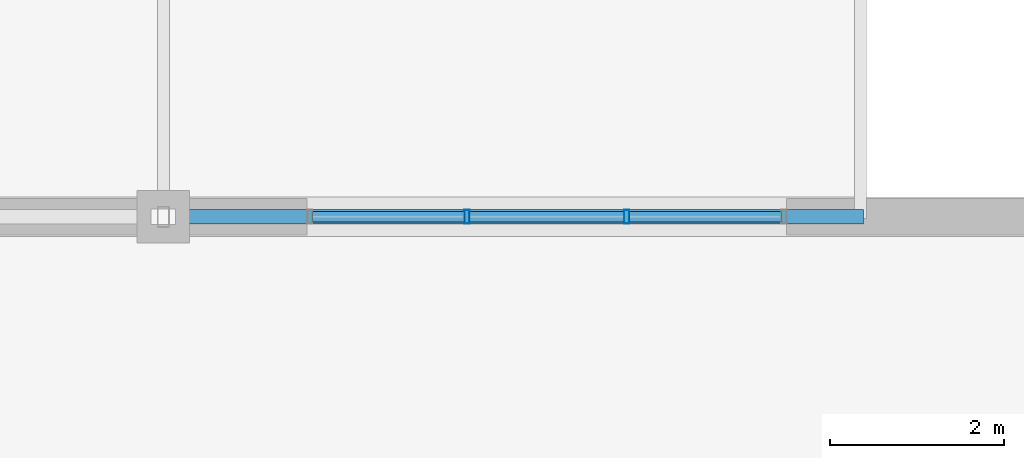
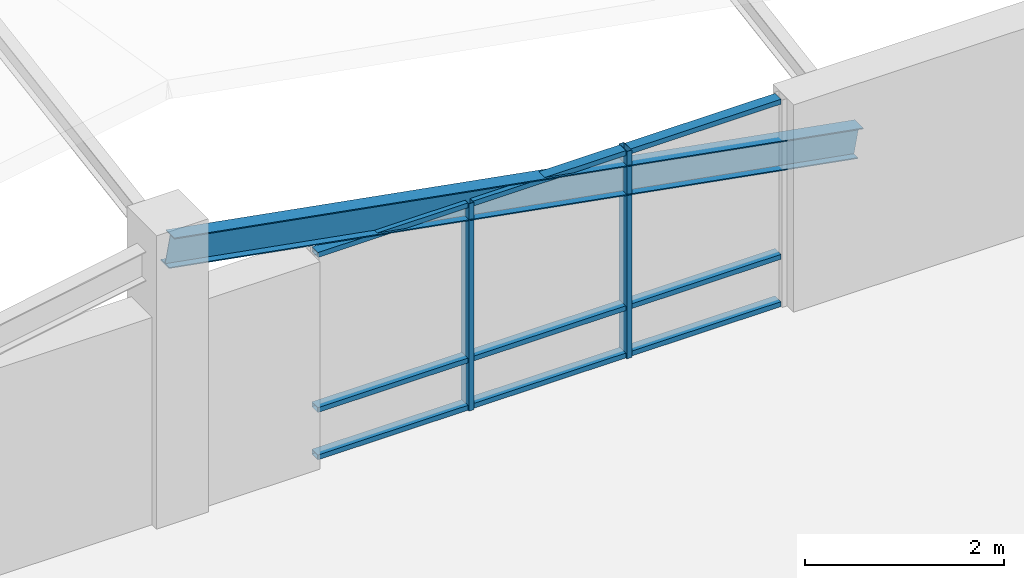
# One storey, part 85 of 189: 12 members, 1 element without a shape of its own.
"""IFC4 building model written with IfcOpenShell, lengths in metres."""

import ifcopenshell
import ifcopenshell.guid

model = None  # the IFC model being written
_history = None  # IfcOwnerHistory: only IFC2X3 demands one
_inside = {}  # id of a spatial element -> (the spatial element, [elements in it])
_under = {}  # id of a project, library or spatial element -> (it, [spatial elements below it])
_declared = {}  # id of a project -> (the project, [libraries it declares])
_typed = {}  # id of a type object -> (the type object, [elements of that type])
_made_of = {}  # id of a material, layer set ... -> (it, [elements and type objects made of it])


def new_model(schema):
    """Start an empty IFC model of exactly this schema.

    Asked for "IFC4X3", IfcOpenShell would pick the latest addendum, in which some entities
    have other attributes; the version numbers below select the first issue.
    IFC2X3 requires an IfcOwnerHistory on every rooted entity: one is made here for all.
    """
    global model, _history
    if schema == "IFC4X3":
        model = ifcopenshell.file(schema_version=(4, 3, 0, 0))
    else:
        model = ifcopenshell.file(schema=schema)
    _inside.clear()
    _under.clear()
    _declared.clear()
    _typed.clear()
    _made_of.clear()
    _history = None
    if model.schema == "IFC2X3":
        org = make("IfcOrganization", Name="unknown")
        user = make(
            "IfcPersonAndOrganization",
            ThePerson=make("IfcPerson", FamilyName="unknown"),
            TheOrganization=org,
        )
        app = make(
            "IfcApplication",
            ApplicationDeveloper=org,
            Version="unknown",
            ApplicationFullName="unknown",
            ApplicationIdentifier="unknown",
        )
        _history = make(
            "IfcOwnerHistory",
            OwningUser=user,
            OwningApplication=app,
            ChangeAction="ADDED",
            CreationDate=0,
        )
    return model


def make(cls, **values):
    """One entity of the class cls with the attributes given. An attribute that is None is left unset."""
    return model.create_entity(
        cls, **{name: value for name, value in values.items() if value is not None}
    )


def rooted(cls, **values):
    """An entity with a GlobalId (a new one), such as an element, a storey or a relation."""
    return make(cls, GlobalId=ifcopenshell.guid.new(), OwnerHistory=_history, **values)


def si_unit(unit_type, name, prefix=None):
    """IfcSIUnit, for example si_unit("LENGTHUNIT", "METRE", prefix="MILLI")."""
    return make("IfcSIUnit", UnitType=unit_type, Prefix=prefix, Name=name)


def assignment(units):
    """IfcUnitAssignment: the units of a project."""
    return None if units is None else make("IfcUnitAssignment", Units=units)


def point(xyz):
    """IfcCartesianPoint."""
    return None if xyz is None else make("IfcCartesianPoint", Coordinates=xyz)


def direction(xyz):
    """IfcDirection."""
    return None if xyz is None else make("IfcDirection", DirectionRatios=xyz)


def frame(location, z_axis=None, x_axis=None):
    """IfcAxis2Placement3D, a coordinate frame: its origin and axes. An axis left out is left unset."""
    return make(
        "IfcAxis2Placement3D",
        Location=point(location),
        Axis=direction(z_axis),
        RefDirection=direction(x_axis),
    )


def frame_2d(location, x_axis=None):
    """IfcAxis2Placement2D, a coordinate frame in the plane: its origin and x axis."""
    return make(
        "IfcAxis2Placement2D", Location=point(location), RefDirection=direction(x_axis)
    )


def origin():
    """The frame at (0, 0, 0) with its axes left unset."""
    return frame((0.0, 0.0, 0.0))


def origin_2d():
    """The frame at (0, 0) in the plane with its x axis left unset."""
    return frame_2d((0.0, 0.0))


def place(relative_to, where):
    """IfcLocalPlacement: puts the frame where relative to a parent placement (None: the world)."""
    return make(
        "IfcLocalPlacement", PlacementRelTo=relative_to, RelativePlacement=where
    )


def context(
    kind, dimensions, precision=None, world=None, true_north=None, identifier=None
):
    """IfcGeometricRepresentationContext, for example the 3D "Model" context."""
    return make(
        "IfcGeometricRepresentationContext",
        ContextIdentifier=identifier,
        ContextType=kind,
        CoordinateSpaceDimension=dimensions,
        Precision=precision,
        WorldCoordinateSystem=world,
        TrueNorth=true_north,
    )


def subcontext(parent, identifier, kind, view, scale=None):
    """IfcGeometricRepresentationSubContext, for example "Body" below "Model"."""
    return make(
        "IfcGeometricRepresentationSubContext",
        ContextIdentifier=identifier,
        ContextType=kind,
        ParentContext=parent,
        TargetScale=scale,
        TargetView=view,
    )


def project(units=None, contexts=None):
    """IfcProject with its units and contexts."""
    return rooted(
        "IfcProject",
        Name="project",
        RepresentationContexts=contexts,
        UnitsInContext=assignment(units),
    )


def spatial(cls, under=None, at=None, **own):
    """A site, building, storey or space (cls), placed at a placement, below another one or the project."""
    s = rooted(cls, ObjectPlacement=at, **own)
    if under is not None:
        _under.setdefault(under.id(), (under, []))[1].append(s)
    return s


def profile(cls, at=None, kind="AREA", **sizes):
    """A parametric profile (cls). Its sizes go by their IFC names, for example OverallWidth=200.0."""
    return make(cls, ProfileType=kind, Position=at, **sizes)


def hollow_rectangle(**sizes):
    """IfcRectangleHollowProfileDef."""
    return profile("IfcRectangleHollowProfileDef", **sizes)


def i_section(**sizes):
    """IfcIShapeProfileDef."""
    return profile("IfcIShapeProfileDef", **sizes)


def extrude(swept, where, along, depth):
    """IfcExtrudedAreaSolid: the profile swept, set in the frame where, extruded along a direction by depth."""
    return make(
        "IfcExtrudedAreaSolid",
        SweptArea=swept,
        Position=where,
        ExtrudedDirection=direction(along),
        Depth=depth,
    )


def shape(context_of_items, identifier, shape_type, items):
    """IfcShapeRepresentation: the items that make up one representation, for example the "Body"."""
    return make(
        "IfcShapeRepresentation",
        ContextOfItems=context_of_items,
        RepresentationIdentifier=identifier,
        RepresentationType=shape_type,
        Items=items,
    )


def material(Name=None, Category=None):
    """IfcMaterial."""
    return make("IfcMaterial", Name=Name, Category=Category)


def material_profile(
    of_material, cross_section, Name=None, Category=None, Priority=None
):
    """IfcMaterialProfile: a cross section and its material."""
    return make(
        "IfcMaterialProfile",
        Name=Name,
        Material=of_material,
        Profile=cross_section,
        Priority=Priority,
        Category=Category,
    )


def profile_set(profiles, Name=None, composite=None):
    """IfcMaterialProfileSet."""
    return make(
        "IfcMaterialProfileSet",
        Name=Name,
        MaterialProfiles=profiles,
        CompositeProfile=composite,
    )


def made_of(thing, what):
    """Note that an element or type object is made of a material, layer set ...; save() writes the relation."""
    if what is not None:
        _made_of.setdefault(what.id(), (what, []))[1].append(thing)
    return thing


def type_object(cls, material=None, **own):
    """A type object (cls), such as IfcWallType, which elements share."""
    return made_of(rooted(cls, **own), material)


def element(
    cls,
    number,
    at=None,
    inside=None,
    cuts=None,
    type_object=None,
    material=None,
    context=None,
    identifier="Body",
    shape_type=None,
    held_by="IfcProductDefinitionShape",
    body=None,
    shapes=None,
    **own,
):
    """One element of the class cls, such as IfcWall. Its Tag is "e" and its number.

    at: its placement. inside: the storey or other place that contains it. cuts: it is an
    opening in that element (IfcRelVoidsElement). A single representation is given by context,
    identifier, shape_type and body (its items); several are given by shapes. held_by: the class
    of the entity that holds the representations. save() writes the other relations.
    """
    e = rooted(cls, Tag="e%d" % number, ObjectPlacement=at, **own)
    if body is not None:
        shapes = [shape(context, identifier, shape_type, body)]
    if shapes is not None:
        e.Representation = make(held_by, Representations=shapes)
    if inside is not None:
        _inside.setdefault(inside.id(), (inside, []))[1].append(e)
    if cuts is not None:
        rooted(
            "IfcRelVoidsElement", RelatingBuildingElement=cuts, RelatedOpeningElement=e
        )
    if type_object is not None:
        _typed.setdefault(type_object.id(), (type_object, []))[1].append(e)
    return made_of(e, material)


def aggregate(whole, parts):
    """IfcRelAggregates: a whole, such as a stair, and the parts it consists of."""
    return rooted("IfcRelAggregates", RelatingObject=whole, RelatedObjects=parts)


def save(model, path):
    """Write the relations noted so far, then the file.

    IfcRelAggregates (storeys below a building ...), IfcRelContainedInSpatialStructure (elements
    in a storey), IfcRelDefinesByType, IfcRelAssociatesMaterial and IfcRelDeclares: one each for
    every whole, place, type object, material and project.
    """
    for whole, parts in _under.values():
        aggregate(whole, parts)
    for where, things in _inside.values():
        rooted(
            "IfcRelContainedInSpatialStructure",
            RelatedElements=things,
            RelatingStructure=where,
        )
    for kind, things in _typed.values():
        rooted("IfcRelDefinesByType", RelatedObjects=things, RelatingType=kind)
    for what, things in _made_of.values():
        rooted("IfcRelAssociatesMaterial", RelatedObjects=things, RelatingMaterial=what)
    for by, libraries in _declared.values():
        rooted("IfcRelDeclares", RelatingContext=by, RelatedDefinitions=libraries)
    model.write(path)


model = new_model("IFC4")

# Units and contexts
model_context = context("Model", 3, precision=1e-05, world=origin(), true_north=direction((0.0, 1.0)))
body_context = subcontext(model_context, "Body", "Model", "MODEL_VIEW")
ifc_project = project(units=[si_unit("LENGTHUNIT", "METRE"), si_unit("AREAUNIT", "SQUARE_METRE"), si_unit("VOLUMEUNIT", "CUBIC_METRE"), si_unit("PLANEANGLEUNIT", "RADIAN"), si_unit("MASSUNIT", "GRAM", prefix="KILO")], contexts=[model_context])

# Site, building, storey
site_placement = place(None, origin())
site = spatial("IfcSite", under=ifc_project, at=site_placement, CompositionType="ELEMENT")
building_placement = place(site_placement, origin())
building = spatial("IfcBuilding", under=site, at=building_placement, Name="Zavelmont Quarter", CompositionType="ELEMENT")
storey_placement = place(building_placement, frame((0.0, 0.0, 4.39990234375)))
storey = spatial("IfcBuildingStorey", under=building, at=storey_placement, Name="L01", CompositionType="ELEMENT", Elevation=4.39990234375)

# Curtain wall, members
ifc_material_1 = material(Name="Thermally broken aluminium and double low-E safety glazing", Category="aluminium")
curtain_wall_type = type_object("IfcCurtainWallType", Name="CW-550X254", PredefinedType="NOTDEFINED", material=ifc_material_1)
curtain_wall_placement = place(storey_placement, origin())
curtain_wall = element("IfcCurtainWall", 1, at=curtain_wall_placement, inside=storey, type_object=curtain_wall_type, Name="L01 unitised curtain wall CW-550X254", PredefinedType="NOTDEFINED")
ifc_material_2 = material(Name="Powder-coated aluminium EN AW-6063-T6", Category="aluminium")
ifc_material_profile_1 = material_profile(ifc_material_2, hollow_rectangle(XDim=0.06005859375, YDim=0.159912109375, WallThickness=0.00390625, at=origin_2d()), Name="CWM60X160")
ifc_profile_set_1 = profile_set([ifc_material_profile_1], Name="Powder-coated aluminium EN AW-6063-T6")
member_type_1 = type_object("IfcMemberType", Name="CWM01", PredefinedType="MULLION", material=ifc_profile_set_1)
member_1_placement = place(storey_placement, frame((87.4833984375, 86.0, 0.0), z_axis=(0.0, 0.0, 1.0), x_axis=(1.0, 0.0, 0.0)))
member_1 = element("IfcMember", 2, at=member_1_placement, type_object=member_type_1, Name="CW-550X254 mullion 2", PredefinedType="MULLION", context=body_context, shape_type="SweptSolid", body=[
    extrude(hollow_rectangle(XDim=0.06005859375, YDim=0.159912109375, WallThickness=0.00390625, at=origin_2d()), origin(), (0.0, 0.0, 1.0), 2.545166015625),
])
member_2_placement = place(storey_placement, frame((89.316650390625, 86.0, 0.0), z_axis=(0.0, 0.0, 1.0), x_axis=(1.0, 0.0, 0.0)))
member_2 = element("IfcMember", 3, at=member_2_placement, type_object=member_type_1, Name="CW-550X254 mullion 3", PredefinedType="MULLION", context=body_context, shape_type="SweptSolid", body=[
    extrude(hollow_rectangle(XDim=0.06005859375, YDim=0.159912109375, WallThickness=0.00390625, at=origin_2d()), origin(), (0.0, 0.0, 1.0), 2.545166015625),
])
ifc_material_profile_2 = material_profile(ifc_material_2, hollow_rectangle(XDim=0.1201171875, YDim=0.06005859375, WallThickness=0.00390625, at=origin_2d()), Name="CWT60X120")
ifc_profile_set_2 = profile_set([ifc_material_profile_2], Name="Powder-coated aluminium EN AW-6063-T6")
member_type_2 = type_object("IfcMemberType", Name="CWT01", PredefinedType="NOTDEFINED", material=ifc_profile_set_2)
member_3_placement = place(storey_placement, frame((85.7099609375, 86.0, 0.030029296875), z_axis=(1.0, 0.0, 0.0), x_axis=(0.0, 1.0, 0.0)))
member_3 = element("IfcMember", 4, at=member_3_placement, type_object=member_type_2, Name="CW-550X254 transom 1.1", ObjectType="TRANSOM", PredefinedType="USERDEFINED", context=body_context, shape_type="SweptSolid", body=[
    extrude(hollow_rectangle(XDim=0.1201171875, YDim=0.06005859375, WallThickness=0.00390625, at=origin_2d()), origin(), (0.0, 0.0, 1.0), 1.743408203125),
])
member_4_placement = place(storey_placement, frame((85.7099609375, 86.0, 0.611083984375), z_axis=(1.0, 0.0, 0.0), x_axis=(0.0, 1.0, 0.0)))
member_4 = element("IfcMember", 5, at=member_4_placement, type_object=member_type_2, Name="CW-550X254 transom 1.2", ObjectType="TRANSOM", PredefinedType="USERDEFINED", context=body_context, shape_type="SweptSolid", body=[
    extrude(hollow_rectangle(XDim=0.1201171875, YDim=0.06005859375, WallThickness=0.00390625, at=origin_2d()), origin(), (0.0, 0.0, 1.0), 1.743408203125),
])
member_5_placement = place(storey_placement, frame((85.7099609375, 86.0, 2.51513671875), z_axis=(1.0, 0.0, 0.0), x_axis=(0.0, 1.0, 0.0)))
member_5 = element("IfcMember", 6, at=member_5_placement, type_object=member_type_2, Name="CW-550X254 transom 1.3", ObjectType="TRANSOM", PredefinedType="USERDEFINED", context=body_context, shape_type="SweptSolid", body=[
    extrude(hollow_rectangle(XDim=0.1201171875, YDim=0.06005859375, WallThickness=0.00390625, at=origin_2d()), origin(), (0.0, 0.0, 1.0), 1.743408203125),
])
member_6_placement = place(storey_placement, frame((87.513427734375, 86.0, 0.030029296875), z_axis=(1.0, 0.0, 0.0), x_axis=(0.0, 1.0, 0.0)))
member_6 = element("IfcMember", 7, at=member_6_placement, type_object=member_type_2, Name="CW-550X254 transom 2.1", ObjectType="TRANSOM", PredefinedType="USERDEFINED", context=body_context, shape_type="SweptSolid", body=[
    extrude(hollow_rectangle(XDim=0.1201171875, YDim=0.06005859375, WallThickness=0.00390625, at=origin_2d()), origin(), (0.0, 0.0, 1.0), 1.773193359375),
])
member_7_placement = place(storey_placement, frame((87.513427734375, 86.0, 0.611083984375), z_axis=(1.0, 0.0, 0.0), x_axis=(0.0, 1.0, 0.0)))
member_7 = element("IfcMember", 8, at=member_7_placement, type_object=member_type_2, Name="CW-550X254 transom 2.2", ObjectType="TRANSOM", PredefinedType="USERDEFINED", context=body_context, shape_type="SweptSolid", body=[
    extrude(hollow_rectangle(XDim=0.1201171875, YDim=0.06005859375, WallThickness=0.00390625, at=origin_2d()), origin(), (0.0, 0.0, 1.0), 1.773193359375),
])
member_8_placement = place(storey_placement, frame((87.513427734375, 86.0, 2.51513671875), z_axis=(1.0, 0.0, 0.0), x_axis=(0.0, 1.0, 0.0)))
member_8 = element("IfcMember", 9, at=member_8_placement, type_object=member_type_2, Name="CW-550X254 transom 2.3", ObjectType="TRANSOM", PredefinedType="USERDEFINED", context=body_context, shape_type="SweptSolid", body=[
    extrude(hollow_rectangle(XDim=0.1201171875, YDim=0.06005859375, WallThickness=0.00390625, at=origin_2d()), origin(), (0.0, 0.0, 1.0), 1.773193359375),
])
member_9_placement = place(storey_placement, frame((89.3466796875, 86.0, 0.030029296875), z_axis=(1.0, 0.0, 0.0), x_axis=(0.0, 1.0, 0.0)))
member_9 = element("IfcMember", 10, at=member_9_placement, type_object=member_type_2, Name="CW-550X254 transom 3.1", ObjectType="TRANSOM", PredefinedType="USERDEFINED", context=body_context, shape_type="SweptSolid", body=[
    extrude(hollow_rectangle(XDim=0.1201171875, YDim=0.06005859375, WallThickness=0.00390625, at=origin_2d()), origin(), (0.0, 0.0, 1.0), 1.743408203125),
])
member_10_placement = place(storey_placement, frame((89.3466796875, 86.0, 0.611083984375), z_axis=(1.0, 0.0, 0.0), x_axis=(0.0, 1.0, 0.0)))
member_10 = element("IfcMember", 11, at=member_10_placement, type_object=member_type_2, Name="CW-550X254 transom 3.2", ObjectType="TRANSOM", PredefinedType="USERDEFINED", context=body_context, shape_type="SweptSolid", body=[
    extrude(hollow_rectangle(XDim=0.1201171875, YDim=0.06005859375, WallThickness=0.00390625, at=origin_2d()), origin(), (0.0, 0.0, 1.0), 1.743408203125),
])
member_11_placement = place(storey_placement, frame((89.3466796875, 86.0, 2.51513671875), z_axis=(1.0, 0.0, 0.0), x_axis=(0.0, 1.0, 0.0)))
member_11 = element("IfcMember", 12, at=member_11_placement, type_object=member_type_2, Name="CW-550X254 transom 3.3", ObjectType="TRANSOM", PredefinedType="USERDEFINED", context=body_context, shape_type="SweptSolid", body=[
    extrude(hollow_rectangle(XDim=0.1201171875, YDim=0.06005859375, WallThickness=0.00390625, at=origin_2d()), origin(), (0.0, 0.0, 1.0), 1.743408203125),
])
aggregate(curtain_wall, [member_1, member_2, member_3, member_4, member_5, member_6, member_7, member_8, member_9, member_10, member_11])

# Member
ifc_material_3 = material(Name="Steel S355", Category="steel")
ifc_material_profile_3 = material_profile(ifc_material_3, i_section(OverallWidth=0.169921875, OverallDepth=0.360107421875, WebThickness=0.008056640625, FlangeThickness=0.0126953125, at=origin_2d()), Name="IPE 360")
ifc_profile_set_3 = profile_set([ifc_material_profile_3], Name="Steel S355")
member_type_3 = type_object("IfcMemberType", Name="RFM2", PredefinedType="RAFTER", material=ifc_profile_set_3)
member_12_placement = place(storey_placement, frame((84.0, 86.0, 3.150146484375), z_axis=(0.983969211964, 0.0, -0.178338413997), x_axis=(0.0, 1.0, 0.0)))
element("IfcMember", 13, at=member_12_placement, inside=storey, type_object=member_type_3, Name="L01 member RFM2 13/N to 14/N", PredefinedType="RAFTER", context=body_context, shape_type="SweptSolid", body=[
    extrude(i_section(OverallWidth=0.169921875, OverallDepth=0.360107421875, WebThickness=0.008056640625, FlangeThickness=0.0126953125, at=origin_2d()), origin(), (0.0, 0.0, 1.0), 8.13037109375),
])

save(model, "model.ifc")
